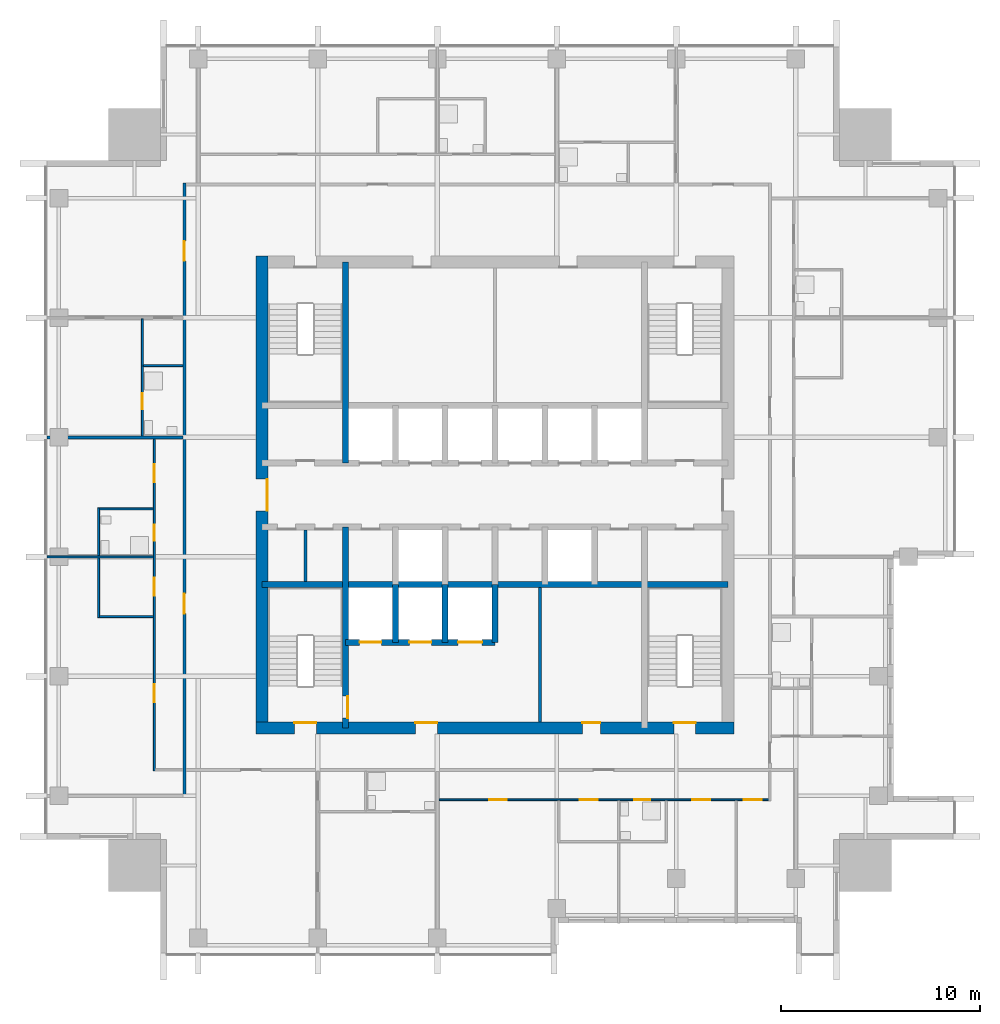
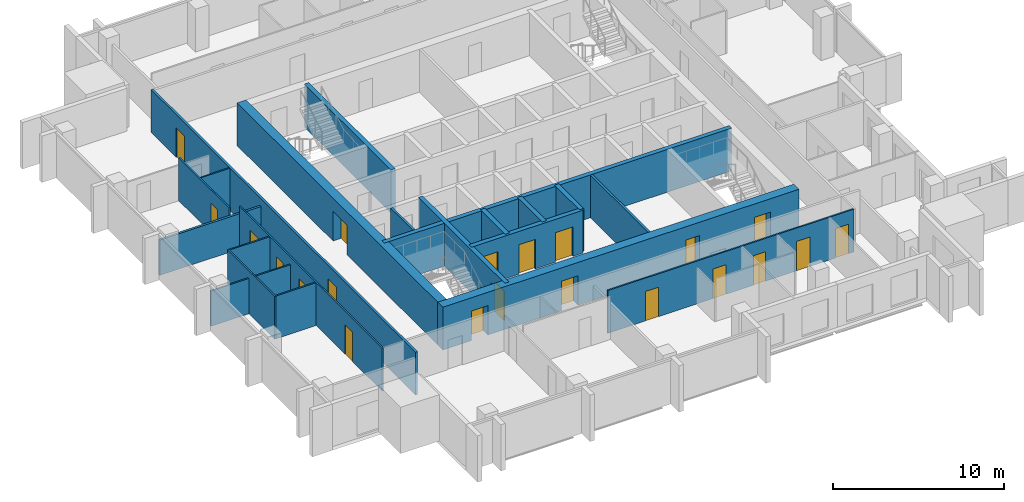
# One storey, part 4 of 9: 21 doors, 21 walls, 21 openings.
"""IFC4 building model written with IfcOpenShell, lengths in metres."""

from ifc_helpers import new_model, si_unit, direction, frame, frame_2d, origin, place, context, subcontext, project, spatial, rectangle, extrude, material, layer, layer_set, type_object, element, fill, save


model = new_model("IFC4")

# Units and contexts
model_context = context("Model", 3, precision=1e-05, world=origin(), true_north=direction((0.0, 1.0)))
body_context = subcontext(model_context, "Body", "Model", "MODEL_VIEW")
ifc_project = project(units=[si_unit("LENGTHUNIT", "METRE"), si_unit("AREAUNIT", "SQUARE_METRE"), si_unit("VOLUMEUNIT", "CUBIC_METRE"), si_unit("PLANEANGLEUNIT", "RADIAN"), si_unit("MASSUNIT", "GRAM", prefix="KILO")], contexts=[model_context])

# Site, building, storey
site_placement = place(None, origin())
site = spatial("IfcSite", under=ifc_project, at=site_placement, CompositionType="ELEMENT")
building_placement = place(site_placement, origin())
building = spatial("IfcBuilding", under=site, at=building_placement, Name="Amberfall Residences", CompositionType="ELEMENT")
storey_placement = place(building_placement, frame((0.0, 0.0, 210.10009765625)))
storey = spatial("IfcBuildingStorey", under=building, at=storey_placement, Name="L56", CompositionType="ELEMENT", Elevation=210.10009765625)

# Wall
ifc_material_1 = material(Name="Concrete C55", Category="concrete")
ifc_layer_1 = layer(ifc_material_1, 0.300048828125)
ifc_layer_set_1 = layer_set([ifc_layer_1], Name="Core wall 300 C55")
wall_type_1 = type_object("IfcWallType", Name="Core wall 300 C55", PredefinedType="SHEAR", material=ifc_layer_set_1)
wall_1_placement = place(storey_placement, frame((62.800048828125, 41.0, 0.0), z_axis=(0.0, 0.0, 1.0), x_axis=(1.0, 0.0, 0.0)))
element("IfcWall", 1, at=wall_1_placement, inside=storey, type_object=wall_type_1, Name="Core wall RW8 L56 H75", PredefinedType="SHEAR", context=body_context, shape_type="SweptSolid", body=[
    extrude(rectangle(XDim=23.39990234375, YDim=0.300048828125, at=frame_2d((11.699951171875, 0.0))), origin(), (0.0, 0.0, 1.0), 3.0498046875),
])

# Wall, opening, door
wall_2_placement = place(storey_placement, frame((67.0, 33.800048828125, 0.0), z_axis=(0.0, 0.0, 1.0), x_axis=(0.0, 1.0, 0.0)))
wall_2 = element("IfcWall", 2, at=wall_2_placement, inside=storey, type_object=wall_type_1, Name="Core wall RW8 L56 V45S", PredefinedType="SHEAR", context=body_context, shape_type="SweptSolid", body=[
    extrude(rectangle(XDim=10.099853515625, YDim=0.300048828125, at=frame_2d((5.0498046875, 0.0))), origin(), (0.0, 0.0, 1.0), 3.0498046875),
])
opening_1_placement = place(wall_2_placement, frame((0.5, 0.0, 0.0)))
opening_1 = element("IfcOpeningElement", 3, at=opening_1_placement, cuts=wall_2, Name="Opening FL1", PredefinedType="OPENING", context=body_context, shape_type="SweptSolid", body=[
    extrude(rectangle(XDim=1.10009765625, YDim=2.10009765625, at=frame_2d((0.550048828125, 1.050048828125))), frame((0.0, 0.159912109375, 0.0), z_axis=(0.0, -1.0, 0.0), x_axis=(1.0, 0.0, 0.0)), (0.0, 0.0, 1.0), 0.320068359375),
])
ifc_material_2 = material(Name="Steel fire door set", Category="steel")
door_type_1 = type_object("IfcDoorType", Name="Firefighting lobby door 1100 x 2100", OperationType="SINGLE_SWING_LEFT", PredefinedType="DOOR", material=ifc_material_2)
door_1_placement = place(opening_1_placement, origin())
door_1 = element("IfcDoor", 4, at=door_1_placement, inside=storey, type_object=door_type_1, Name="FL1 L56", OperationType="SINGLE_SWING_RIGHT", OverallHeight=2.10009765625, OverallWidth=1.10009765625, PredefinedType="DOOR", context=body_context, shape_type="SweptSolid", body=[
    extrude(rectangle(XDim=1.10009765625, YDim=2.10009765625, at=frame_2d((0.550048828125, 1.050048828125))), frame((0.0, -0.08740234375, 0.0), z_axis=(0.0, -1.0, 0.0), x_axis=(1.0, 0.0, 0.0)), (0.0, 0.0, 1.0), 0.050048828125),
])
fill(opening_1, door_1)

# Wall
wall_3_placement = place(storey_placement, frame((67.0, 47.10009765625, 0.0), z_axis=(0.0, 0.0, 1.0), x_axis=(0.0, 1.0, 0.0)))
element("IfcWall", 5, at=wall_3_placement, inside=storey, type_object=wall_type_1, Name="Core wall RW8 L56 V45N", PredefinedType="SHEAR", context=body_context, shape_type="SweptSolid", body=[
    extrude(rectangle(XDim=10.099853515625, YDim=0.300048828125, at=frame_2d((5.0498046875, 0.0))), origin(), (0.0, 0.0, 1.0), 3.0498046875),
])

# Wall, openings, doors
wall_4_placement = place(storey_placement, frame((67.0, 38.10009765625, 0.0), z_axis=(0.0, 0.0, 1.0), x_axis=(1.0, 0.0, 0.0)))
wall_4 = element("IfcWall", 6, at=wall_4_placement, inside=storey, type_object=wall_type_1, Name="Core wall RW8 L56 FFF", PredefinedType="SHEAR", context=body_context, shape_type="SweptSolid", body=[
    extrude(rectangle(XDim=7.5, YDim=0.300048828125, at=frame_2d((3.75, 0.0))), origin(), (0.0, 0.0, 1.0), 3.0498046875),
])
opening_2_placement = place(wall_4_placement, frame((0.699951171875, 0.0, 0.0)))
opening_2 = element("IfcOpeningElement", 7, at=opening_2_placement, cuts=wall_4, Name="Opening LD2", PredefinedType="OPENING", context=body_context, shape_type="SweptSolid", body=[
    extrude(rectangle(XDim=1.10009765625, YDim=2.10009765625, at=frame_2d((0.550048828125, 1.050048828125))), frame((0.0, 0.159912109375, 0.0), z_axis=(0.0, -1.0, 0.0), x_axis=(1.0, 0.0, 0.0)), (0.0, 0.0, 1.0), 0.320068359375),
])
opening_3_placement = place(wall_4_placement, frame((3.199951171875, 0.0, 0.0)))
opening_3 = element("IfcOpeningElement", 8, at=opening_3_placement, cuts=wall_4, Name="Opening LD2", PredefinedType="OPENING", context=body_context, shape_type="SweptSolid", body=[
    extrude(rectangle(XDim=1.10009765625, YDim=2.10009765625, at=frame_2d((0.550048828125, 1.050048828125))), frame((0.0, 0.159912109375, 0.0), z_axis=(0.0, -1.0, 0.0), x_axis=(1.0, 0.0, 0.0)), (0.0, 0.0, 1.0), 0.320068359375),
])
opening_4_placement = place(wall_4_placement, frame((5.64990234375, 0.0, 0.0)))
opening_4 = element("IfcOpeningElement", 9, at=opening_4_placement, cuts=wall_4, Name="Opening LD3", PredefinedType="OPENING", context=body_context, shape_type="SweptSolid", body=[
    extrude(rectangle(XDim=1.199951171875, YDim=2.10009765625, at=frame_2d((0.60009765625, 1.050048828125))), frame((0.0, 0.159912109375, 0.0), z_axis=(0.0, -1.0, 0.0), x_axis=(1.0, 0.0, 0.0)), (0.0, 0.0, 1.0), 0.320068359375),
])
door_type_2 = type_object("IfcDoorType", Name="Firefighting lift landing door 1100 x 2100", OperationType="DOUBLE_DOOR_SLIDING", PredefinedType="DOOR", material=ifc_material_2)
door_2_placement = place(opening_2_placement, origin())
door_2 = element("IfcDoor", 10, at=door_2_placement, inside=storey, type_object=door_type_2, Name="Landing door FF1 L56", OperationType="DOUBLE_DOOR_SLIDING", OverallHeight=2.10009765625, OverallWidth=1.10009765625, PredefinedType="DOOR", context=body_context, shape_type="SweptSolid", body=[
    extrude(rectangle(XDim=1.10009765625, YDim=2.10009765625, at=frame_2d((0.550048828125, 1.050048828125))), frame((0.0, 0.02490234375, 0.0), z_axis=(0.0, -1.0, 0.0), x_axis=(1.0, 0.0, 0.0)), (0.0, 0.0, 1.0), 0.050048828125),
])
fill(opening_2, door_2)
door_3_placement = place(opening_3_placement, origin())
door_3 = element("IfcDoor", 11, at=door_3_placement, inside=storey, type_object=door_type_2, Name="Landing door FF2 L56", OperationType="DOUBLE_DOOR_SLIDING", OverallHeight=2.10009765625, OverallWidth=1.10009765625, PredefinedType="DOOR", context=body_context, shape_type="SweptSolid", body=[
    extrude(rectangle(XDim=1.10009765625, YDim=2.10009765625, at=frame_2d((0.550048828125, 1.050048828125))), frame((0.0, 0.02490234375, 0.0), z_axis=(0.0, -1.0, 0.0), x_axis=(1.0, 0.0, 0.0)), (0.0, 0.0, 1.0), 0.050048828125),
])
fill(opening_3, door_3)
door_type_3 = type_object("IfcDoorType", Name="Service lift landing door 1200 x 2100", OperationType="DOUBLE_DOOR_SLIDING", PredefinedType="DOOR", material=ifc_material_2)
door_4_placement = place(opening_4_placement, origin())
door_4 = element("IfcDoor", 12, at=door_4_placement, inside=storey, type_object=door_type_3, Name="Landing door SL1 L56", OperationType="DOUBLE_DOOR_SLIDING", OverallHeight=2.10009765625, OverallWidth=1.199951171875, PredefinedType="DOOR", context=body_context, shape_type="SweptSolid", body=[
    extrude(rectangle(XDim=1.199951171875, YDim=2.10009765625, at=frame_2d((0.60009765625, 1.050048828125))), frame((0.0, 0.02490234375, 0.0), z_axis=(0.0, -1.0, 0.0), x_axis=(1.0, 0.0, 0.0)), (0.0, 0.0, 1.0), 0.050048828125),
])
fill(opening_4, door_4)

# Walls
for number, where, z_axis, x_axis, name in (
    (13, (69.5, 38.10009765625, 0.0), (0.0, 0.0, 1.0), (0.0, 1.0, 0.0), "Core wall RW8 L56 FFD1"),
    (14, (72.0, 38.10009765625, 0.0), (0.0, 0.0, 1.0), (0.0, 1.0, 0.0), "Core wall RW8 L56 FFD2"),
    (15, (74.5, 38.10009765625, 0.0), (0.0, 0.0, 1.0), (0.0, 1.0, 0.0), "Core wall RW8 L56 FFD3"),
):
    element("IfcWall", number, at=place(storey_placement, frame(where, z_axis=z_axis, x_axis=x_axis)), inside=storey, type_object=wall_type_1, Name=name, PredefinedType="SHEAR", context=body_context, shape_type="SweptSolid", body=[
        extrude(rectangle(XDim=2.89990234375, YDim=0.300048828125, at=frame_2d((1.449951171875, 0.0))), origin(), (0.0, 0.0, 1.0), 3.0498046875),
    ])

# Wall, openings, doors
ifc_layer_2 = layer(ifc_material_1, 0.60009765625)
ifc_layer_set_2 = layer_set([ifc_layer_2], Name="Core wall 600 C55")
wall_type_2 = type_object("IfcWallType", Name="Core wall 600 C55", PredefinedType="SHEAR", material=ifc_layer_set_2)
wall_5_placement = place(storey_placement, frame((62.5, 33.800048828125, 0.0), z_axis=(0.0, 0.0, 1.0), x_axis=(1.0, 0.0, 0.0)))
wall_5 = element("IfcWall", 16, at=wall_5_placement, inside=storey, type_object=wall_type_2, Name="Core wall RW7 L56 OS", PredefinedType="SHEAR", context=body_context, shape_type="SweptSolid", body=[
    extrude(rectangle(XDim=24.0, YDim=0.60009765625, at=frame_2d((12.0, 0.0))), origin(), (0.0, 0.0, 1.0), 3.0498046875),
])
opening_5_placement = place(wall_5_placement, frame((1.925048828125, 0.0, 0.0)))
opening_5 = element("IfcOpeningElement", 17, at=opening_5_placement, cuts=wall_5, Name="Opening SD1", PredefinedType="OPENING", context=body_context, shape_type="SweptSolid", body=[
    extrude(rectangle(XDim=1.10009765625, YDim=2.10009765625, at=frame_2d((0.550048828125, 1.050048828125))), frame((0.0, 0.31005859375, 0.0), z_axis=(0.0, -1.0, 0.0), x_axis=(1.0, 0.0, 0.0)), (0.0, 0.0, 1.0), 0.6201171875),
])
opening_6_placement = place(wall_5_placement, frame((20.97509765625, 0.0, 0.0)))
opening_6 = element("IfcOpeningElement", 18, at=opening_6_placement, cuts=wall_5, Name="Opening SD1", PredefinedType="OPENING", context=body_context, shape_type="SweptSolid", body=[
    extrude(rectangle(XDim=1.10009765625, YDim=2.10009765625, at=frame_2d((0.550048828125, 1.050048828125))), frame((0.0, 0.31005859375, 0.0), z_axis=(0.0, -1.0, 0.0), x_axis=(1.0, 0.0, 0.0)), (0.0, 0.0, 1.0), 0.6201171875),
])
opening_7_placement = place(wall_5_placement, frame((8.0, 0.0, 0.0)))
opening_7 = element("IfcOpeningElement", 19, at=opening_7_placement, cuts=wall_5, Name="Opening FL1", PredefinedType="OPENING", context=body_context, shape_type="SweptSolid", body=[
    extrude(rectangle(XDim=1.10009765625, YDim=2.10009765625, at=frame_2d((0.550048828125, 1.050048828125))), frame((0.0, 0.31005859375, 0.0), z_axis=(0.0, -1.0, 0.0), x_axis=(1.0, 0.0, 0.0)), (0.0, 0.0, 1.0), 0.6201171875),
])
opening_8_placement = place(wall_5_placement, frame((16.387451171875, 0.0, 0.0)))
opening_8 = element("IfcOpeningElement", 20, at=opening_8_placement, cuts=wall_5, Name="Opening RD1", PredefinedType="OPENING", context=body_context, shape_type="SweptSolid", body=[
    extrude(rectangle(XDim=0.89990234375, YDim=2.10009765625, at=frame_2d((0.449951171875, 1.050048828125))), frame((0.0, 0.31005859375, 0.0), z_axis=(0.0, -1.0, 0.0), x_axis=(1.0, 0.0, 0.0)), (0.0, 0.0, 1.0), 0.6201171875),
])
door_5_placement = place(opening_7_placement, origin())
door_5 = element("IfcDoor", 21, at=door_5_placement, inside=storey, type_object=door_type_1, Name="FL1 L56", OperationType="SINGLE_SWING_LEFT", OverallHeight=2.10009765625, OverallWidth=1.10009765625, PredefinedType="DOOR", context=body_context, shape_type="SweptSolid", body=[
    extrude(rectangle(XDim=1.10009765625, YDim=2.10009765625, at=frame_2d((0.550048828125, 1.050048828125))), frame((0.0, 0.28759765625, 0.0), z_axis=(0.0, -1.0, 0.0), x_axis=(1.0, 0.0, 0.0)), (0.0, 0.0, 1.0), 0.050048828125),
])
fill(opening_7, door_5)
door_type_4 = type_object("IfcDoorType", Name="Service room door 900 x 2100", OperationType="SINGLE_SWING_LEFT", PredefinedType="DOOR", material=ifc_material_2)
door_6_placement = place(opening_8_placement, origin())
door_6 = element("IfcDoor", 22, at=door_6_placement, inside=storey, type_object=door_type_4, Name="RD1 L56", OperationType="SINGLE_SWING_LEFT", OverallHeight=2.10009765625, OverallWidth=0.89990234375, PredefinedType="DOOR", context=body_context, shape_type="SweptSolid", body=[
    extrude(rectangle(XDim=0.89990234375, YDim=2.10009765625, at=frame_2d((0.449951171875, 1.050048828125))), frame((0.0, 0.28759765625, 0.0), z_axis=(0.0, -1.0, 0.0), x_axis=(1.0, 0.0, 0.0)), (0.0, 0.0, 1.0), 0.050048828125),
])
fill(opening_8, door_6)
door_type_5 = type_object("IfcDoorType", Name="Stair door 1100 x 2100", OperationType="SINGLE_SWING_LEFT", PredefinedType="DOOR", material=ifc_material_2)
door_7_placement = place(opening_5_placement, origin())
door_7 = element("IfcDoor", 23, at=door_7_placement, inside=storey, type_object=door_type_5, Name="SD1 L56", OperationType="SINGLE_SWING_LEFT", OverallHeight=2.10009765625, OverallWidth=1.10009765625, PredefinedType="DOOR", context=body_context, shape_type="SweptSolid", body=[
    extrude(rectangle(XDim=1.10009765625, YDim=2.10009765625, at=frame_2d((0.550048828125, 1.050048828125))), frame((0.0, 0.28759765625, 0.0), z_axis=(0.0, -1.0, 0.0), x_axis=(1.0, 0.0, 0.0)), (0.0, 0.0, 1.0), 0.050048828125),
])
fill(opening_5, door_7)
door_8_placement = place(opening_6_placement, origin())
door_8 = element("IfcDoor", 24, at=door_8_placement, inside=storey, type_object=door_type_5, Name="SD1 L56", OperationType="SINGLE_SWING_RIGHT", OverallHeight=2.10009765625, OverallWidth=1.10009765625, PredefinedType="DOOR", context=body_context, shape_type="SweptSolid", body=[
    extrude(rectangle(XDim=1.10009765625, YDim=2.10009765625, at=frame_2d((0.550048828125, 1.050048828125))), frame((0.0, 0.28759765625, 0.0), z_axis=(0.0, -1.0, 0.0), x_axis=(1.0, 0.0, 0.0)), (0.0, 0.0, 1.0), 0.050048828125),
])
fill(opening_6, door_8)

# Wall, opening, door
wall_6_placement = place(storey_placement, frame((62.800048828125, 33.5, 0.0), z_axis=(0.0, 0.0, 1.0), x_axis=(0.0, 1.0, 0.0)))
wall_6 = element("IfcWall", 25, at=wall_6_placement, inside=storey, type_object=wall_type_2, Name="Core wall RW7 L56 OW", PredefinedType="SHEAR", context=body_context, shape_type="SweptSolid", body=[
    extrude(rectangle(XDim=24.0, YDim=0.60009765625, at=frame_2d((12.0, 0.0))), origin(), (0.0, 0.0, 1.0), 3.0498046875),
])
opening_9_placement = place(wall_6_placement, frame((11.199951171875, 0.0, 0.0)))
opening_9 = element("IfcOpeningElement", 26, at=opening_9_placement, cuts=wall_6, Name="Opening LB1", PredefinedType="OPENING", context=body_context, shape_type="SweptSolid", body=[
    extrude(rectangle(XDim=1.60009765625, YDim=2.10009765625, at=frame_2d((0.800048828125, 1.050048828125))), frame((0.0, 0.31005859375, 0.0), z_axis=(0.0, -1.0, 0.0), x_axis=(1.0, 0.0, 0.0)), (0.0, 0.0, 1.0), 0.6201171875),
])
door_type_6 = type_object("IfcDoorType", Name="Lift lobby double door 1600 x 2100", OperationType="DOUBLE_DOOR_SINGLE_SWING", PredefinedType="DOOR", material=ifc_material_2)
door_9_placement = place(opening_9_placement, origin())
door_9 = element("IfcDoor", 27, at=door_9_placement, inside=storey, type_object=door_type_6, Name="LB1 L56", OperationType="DOUBLE_DOOR_SINGLE_SWING", OverallHeight=2.10009765625, OverallWidth=1.60009765625, PredefinedType="DOOR", context=body_context, shape_type="SweptSolid", body=[
    extrude(rectangle(XDim=1.60009765625, YDim=2.10009765625, at=frame_2d((0.800048828125, 1.050048828125))), frame((0.0, -0.2373046875, 0.0), z_axis=(0.0, -1.0, 0.0), x_axis=(1.0, 0.0, 0.0)), (0.0, 0.0, 1.0), 0.050048828125),
])
fill(opening_9, door_9)

# Wall
ifc_material_3 = material(Name="Gypsum board on metal stud")
ifc_layer_3 = layer(ifc_material_3, 0.10009765625)
ifc_layer_set_3 = layer_set([ifc_layer_3], Name="Flat partition 100")
wall_type_3 = type_object("IfcWallType", Name="Flat partition 100", PredefinedType="PARTITIONING", material=ifc_layer_set_3)
wall_7_placement = place(storey_placement, frame((54.60009765625, 39.35009765625, 0.0), z_axis=(0.0, 0.0, 1.0), x_axis=(0.0, 1.0, 0.0)))
element("IfcWall", 28, at=wall_7_placement, inside=storey, type_object=wall_type_3, Name="Partition 001", PredefinedType="PARTITIONING", context=body_context, shape_type="SweptSolid", body=[
    extrude(rectangle(XDim=5.5, YDim=0.10009765625, at=frame_2d((2.75, 0.0))), origin(), (0.0, 0.0, 1.0), 3.0498046875),
])

# Wall, opening, door
wall_8_placement = place(storey_placement, frame((56.800048828125, 54.35009765625, 0.0), z_axis=(0.0, 0.0, 1.0), x_axis=(0.0, -1.0, 0.0)))
wall_8 = element("IfcWall", 29, at=wall_8_placement, inside=storey, type_object=wall_type_3, Name="Partition 002", PredefinedType="PARTITIONING", context=body_context, shape_type="SweptSolid", body=[
    extrude(rectangle(XDim=5.875, YDim=0.10009765625, at=frame_2d((2.9375, 0.0))), origin(), (0.0, 0.0, 1.0), 3.0498046875),
])
opening_10_placement = place(wall_8_placement, frame((3.75, 0.0, 0.0)))
opening_10 = element("IfcOpeningElement", 30, at=opening_10_placement, cuts=wall_8, Name="Opening D42", PredefinedType="OPENING", context=body_context, shape_type="SweptSolid", body=[
    extrude(rectangle(XDim=0.800048828125, YDim=2.10009765625, at=frame_2d((0.39990234375, 1.050048828125))), frame((0.0, 0.06005859375, 0.0), z_axis=(0.0, -1.0, 0.0), x_axis=(1.0, 0.0, 0.0)), (0.0, 0.0, 1.0), 0.1201171875),
])
ifc_material_4 = material(Name="Timber", Category="wood")
door_type_7 = type_object("IfcDoorType", Name="Bathroom door 800 x 2100", OperationType="SINGLE_SWING_LEFT", PredefinedType="DOOR", material=ifc_material_4)
door_10_placement = place(opening_10_placement, origin())
door_10 = element("IfcDoor", 31, at=door_10_placement, inside=storey, type_object=door_type_7, Name="Door 5608 bath1", OperationType="SINGLE_SWING_LEFT", OverallHeight=2.10009765625, OverallWidth=0.800048828125, PredefinedType="DOOR", context=body_context, shape_type="SweptSolid", body=[
    extrude(rectangle(XDim=0.800048828125, YDim=2.10009765625, at=frame_2d((0.39990234375, 1.050048828125))), frame((0.0, 0.02490234375, 0.0), z_axis=(0.0, -1.0, 0.0), x_axis=(1.0, 0.0, 0.0)), (0.0, 0.0, 1.0), 0.050048828125),
])
fill(opening_10, door_10)

# Wall, openings, doors
wall_9_placement = place(storey_placement, frame((57.39990234375, 31.64990234375, 0.0), z_axis=(0.0, 0.0, 1.0), x_axis=(0.0, 1.0, 0.0)))
wall_9 = element("IfcWall", 32, at=wall_9_placement, inside=storey, type_object=wall_type_3, Name="Partition 003", PredefinedType="PARTITIONING", context=body_context, shape_type="SweptSolid", body=[
    extrude(rectangle(XDim=16.675048828125, YDim=0.10009765625, at=frame_2d((8.33740234375, 0.0))), origin(), (0.0, 0.0, 1.0), 3.0498046875),
])
opening_11_placement = place(wall_9_placement, frame((3.449951171875, 0.0, 0.0)))
opening_11 = element("IfcOpeningElement", 33, at=opening_11_placement, cuts=wall_9, Name="Opening D41", PredefinedType="OPENING", context=body_context, shape_type="SweptSolid", body=[
    extrude(rectangle(XDim=0.89990234375, YDim=2.10009765625, at=frame_2d((0.449951171875, 1.050048828125))), frame((0.0, 0.06005859375, 0.0), z_axis=(0.0, -1.0, 0.0), x_axis=(1.0, 0.0, 0.0)), (0.0, 0.0, 1.0), 0.1201171875),
])
opening_12_placement = place(wall_9_placement, frame((8.800048828125, 0.0, 0.0)))
opening_12 = element("IfcOpeningElement", 34, at=opening_12_placement, cuts=wall_9, Name="Opening D41", PredefinedType="OPENING", context=body_context, shape_type="SweptSolid", body=[
    extrude(rectangle(XDim=0.89990234375, YDim=2.10009765625, at=frame_2d((0.449951171875, 1.050048828125))), frame((0.0, 0.06005859375, 0.0), z_axis=(0.0, -1.0, 0.0), x_axis=(1.0, 0.0, 0.0)), (0.0, 0.0, 1.0), 0.1201171875),
])
opening_13_placement = place(wall_9_placement, frame((14.5, 0.0, 0.0)))
opening_13 = element("IfcOpeningElement", 35, at=opening_13_placement, cuts=wall_9, Name="Opening D41", PredefinedType="OPENING", context=body_context, shape_type="SweptSolid", body=[
    extrude(rectangle(XDim=0.89990234375, YDim=2.10009765625, at=frame_2d((0.449951171875, 1.050048828125))), frame((0.0, 0.06005859375, 0.0), z_axis=(0.0, -1.0, 0.0), x_axis=(1.0, 0.0, 0.0)), (0.0, 0.0, 1.0), 0.1201171875),
])
opening_14_placement = place(wall_9_placement, frame((11.550048828125, 0.0, 0.0)))
opening_14 = element("IfcOpeningElement", 36, at=opening_14_placement, cuts=wall_9, Name="Opening D42", PredefinedType="OPENING", context=body_context, shape_type="SweptSolid", body=[
    extrude(rectangle(XDim=0.800048828125, YDim=2.10009765625, at=frame_2d((0.39990234375, 1.050048828125))), frame((0.0, 0.06005859375, 0.0), z_axis=(0.0, -1.0, 0.0), x_axis=(1.0, 0.0, 0.0)), (0.0, 0.0, 1.0), 0.1201171875),
])
door_11_placement = place(opening_14_placement, origin())
door_11 = element("IfcDoor", 37, at=door_11_placement, inside=storey, type_object=door_type_7, Name="Door 5607 bath1", OperationType="SINGLE_SWING_LEFT", OverallHeight=2.10009765625, OverallWidth=0.800048828125, PredefinedType="DOOR", context=body_context, shape_type="SweptSolid", body=[
    extrude(rectangle(XDim=0.800048828125, YDim=2.10009765625, at=frame_2d((0.39990234375, 1.050048828125))), frame((0.0, 0.02490234375, 0.0), z_axis=(0.0, -1.0, 0.0), x_axis=(1.0, 0.0, 0.0)), (0.0, 0.0, 1.0), 0.050048828125),
])
fill(opening_14, door_11)
door_type_8 = type_object("IfcDoorType", Name="Internal door 900 x 2100", OperationType="SINGLE_SWING_LEFT", PredefinedType="DOOR", material=ifc_material_4)
door_12_placement = place(opening_11_placement, origin())
door_12 = element("IfcDoor", 38, at=door_12_placement, inside=storey, type_object=door_type_8, Name="Door 5607 living", OperationType="SINGLE_SWING_LEFT", OverallHeight=2.10009765625, OverallWidth=0.89990234375, PredefinedType="DOOR", context=body_context, shape_type="SweptSolid", body=[
    extrude(rectangle(XDim=0.89990234375, YDim=2.10009765625, at=frame_2d((0.449951171875, 1.050048828125))), frame((0.0, 0.02490234375, 0.0), z_axis=(0.0, -1.0, 0.0), x_axis=(1.0, 0.0, 0.0)), (0.0, 0.0, 1.0), 0.050048828125),
])
fill(opening_11, door_12)
door_13_placement = place(opening_12_placement, origin())
door_13 = element("IfcDoor", 39, at=door_13_placement, inside=storey, type_object=door_type_8, Name="Door 5607 kitchen", OperationType="SINGLE_SWING_LEFT", OverallHeight=2.10009765625, OverallWidth=0.89990234375, PredefinedType="DOOR", context=body_context, shape_type="SweptSolid", body=[
    extrude(rectangle(XDim=0.89990234375, YDim=2.10009765625, at=frame_2d((0.449951171875, 1.050048828125))), frame((0.0, 0.02490234375, 0.0), z_axis=(0.0, -1.0, 0.0), x_axis=(1.0, 0.0, 0.0)), (0.0, 0.0, 1.0), 0.050048828125),
])
fill(opening_12, door_13)
door_14_placement = place(opening_13_placement, origin())
door_14 = element("IfcDoor", 40, at=door_14_placement, inside=storey, type_object=door_type_8, Name="Door 5607 bedroom1", OperationType="SINGLE_SWING_LEFT", OverallHeight=2.10009765625, OverallWidth=0.89990234375, PredefinedType="DOOR", context=body_context, shape_type="SweptSolid", body=[
    extrude(rectangle(XDim=0.89990234375, YDim=2.10009765625, at=frame_2d((0.449951171875, 1.050048828125))), frame((0.0, 0.02490234375, 0.0), z_axis=(0.0, -1.0, 0.0), x_axis=(1.0, 0.0, 0.0)), (0.0, 0.0, 1.0), 0.050048828125),
])
fill(opening_13, door_14)

# Walls
wall_10_placement = place(storey_placement, frame((56.85009765625, 52.0, 0.0), z_axis=(0.0, 0.0, 1.0), x_axis=(1.0, 0.0, 0.0)))
element("IfcWall", 41, at=wall_10_placement, inside=storey, type_object=wall_type_3, Name="Partition 025", PredefinedType="PARTITIONING", context=body_context, shape_type="SweptSolid", body=[
    extrude(rectangle(XDim=1.974853515625, YDim=0.10009765625, at=frame_2d((0.9873046875, 0.0))), origin(), (0.0, 0.0, 1.0), 3.0498046875),
])
wall_11_placement = place(storey_placement, frame((54.64990234375, 44.800048828125, 0.0), z_axis=(0.0, 0.0, 1.0), x_axis=(1.0, 0.0, 0.0)))
element("IfcWall", 42, at=wall_11_placement, inside=storey, type_object=wall_type_3, Name="Partition 027", PredefinedType="PARTITIONING", context=body_context, shape_type="SweptSolid", body=[
    extrude(rectangle(XDim=2.7001953125, YDim=0.10009765625, at=frame_2d((1.35009765625, 0.0))), origin(), (0.0, 0.0, 1.0), 3.0498046875),
])
wall_12_placement = place(storey_placement, frame((52.0, 42.39990234375, 0.0), z_axis=(0.0, 0.0, 1.0), x_axis=(1.0, 0.0, 0.0)))
element("IfcWall", 43, at=wall_12_placement, inside=storey, type_object=wall_type_3, Name="Partition 028", PredefinedType="PARTITIONING", context=body_context, shape_type="SweptSolid", body=[
    extrude(rectangle(XDim=5.35009765625, YDim=0.10009765625, at=frame_2d((2.675048828125, 0.0))), origin(), (0.0, 0.0, 1.0), 2.515869140625),
])
wall_13_placement = place(storey_placement, frame((54.64990234375, 39.39990234375, 0.0), z_axis=(0.0, 0.0, 1.0), x_axis=(1.0, 0.0, 0.0)))
element("IfcWall", 44, at=wall_13_placement, inside=storey, type_object=wall_type_3, Name="Partition 030", PredefinedType="PARTITIONING", context=body_context, shape_type="SweptSolid", body=[
    extrude(rectangle(XDim=2.7001953125, YDim=0.10009765625, at=frame_2d((1.35009765625, 0.0))), origin(), (0.0, 0.0, 1.0), 3.0498046875),
])

# Wall, openings, doors
wall_14_placement = place(storey_placement, frame((88.25, 30.199951171875, 0.0), z_axis=(0.0, 0.0, 1.0), x_axis=(-1.0, 0.0, 0.0)))
wall_14 = element("IfcWall", 45, at=wall_14_placement, inside=storey, type_object=wall_type_3, Name="Partition 034", PredefinedType="PARTITIONING", context=body_context, shape_type="SweptSolid", body=[
    extrude(rectangle(XDim=16.574951171875, YDim=0.10009765625, at=frame_2d((8.28759765625, 0.0))), origin(), (0.0, 0.0, 1.0), 3.0498046875),
])
opening_15_placement = place(wall_14_placement, frame((13.14990234375, 0.0, 0.0)))
opening_15 = element("IfcOpeningElement", 46, at=opening_15_placement, cuts=wall_14, Name="Opening D41", PredefinedType="OPENING", context=body_context, shape_type="SweptSolid", body=[
    extrude(rectangle(XDim=0.89990234375, YDim=2.10009765625, at=frame_2d((0.449951171875, 1.050048828125))), frame((0.0, 0.06005859375, 0.0), z_axis=(0.0, -1.0, 0.0), x_axis=(1.0, 0.0, 0.0)), (0.0, 0.0, 1.0), 0.1201171875),
])
opening_16_placement = place(wall_14_placement, frame((8.60009765625, 0.0, 0.0)))
opening_16 = element("IfcOpeningElement", 47, at=opening_16_placement, cuts=wall_14, Name="Opening D41", PredefinedType="OPENING", context=body_context, shape_type="SweptSolid", body=[
    extrude(rectangle(XDim=0.89990234375, YDim=2.10009765625, at=frame_2d((0.449951171875, 1.050048828125))), frame((0.0, 0.06005859375, 0.0), z_axis=(0.0, -1.0, 0.0), x_axis=(1.0, 0.0, 0.0)), (0.0, 0.0, 1.0), 0.1201171875),
])
opening_17_placement = place(wall_14_placement, frame((2.949951171875, 0.0, 0.0)))
opening_17 = element("IfcOpeningElement", 48, at=opening_17_placement, cuts=wall_14, Name="Opening D41", PredefinedType="OPENING", context=body_context, shape_type="SweptSolid", body=[
    extrude(rectangle(XDim=0.89990234375, YDim=2.10009765625, at=frame_2d((0.449951171875, 1.050048828125))), frame((0.0, 0.06005859375, 0.0), z_axis=(0.0, -1.0, 0.0), x_axis=(1.0, 0.0, 0.0)), (0.0, 0.0, 1.0), 0.1201171875),
])
opening_18_placement = place(wall_14_placement, frame((0.35009765625, 0.0, 0.0)))
opening_18 = element("IfcOpeningElement", 49, at=opening_18_placement, cuts=wall_14, Name="Opening D41", PredefinedType="OPENING", context=body_context, shape_type="SweptSolid", body=[
    extrude(rectangle(XDim=0.89990234375, YDim=2.10009765625, at=frame_2d((0.449951171875, 1.050048828125))), frame((0.0, 0.06005859375, 0.0), z_axis=(0.0, -1.0, 0.0), x_axis=(1.0, 0.0, 0.0)), (0.0, 0.0, 1.0), 0.1201171875),
])
opening_19_placement = place(wall_14_placement, frame((5.949951171875, 0.0, 0.0)))
opening_19 = element("IfcOpeningElement", 50, at=opening_19_placement, cuts=wall_14, Name="Opening D42", PredefinedType="OPENING", context=body_context, shape_type="SweptSolid", body=[
    extrude(rectangle(XDim=0.800048828125, YDim=2.10009765625, at=frame_2d((0.39990234375, 1.050048828125))), frame((0.0, 0.06005859375, 0.0), z_axis=(0.0, -1.0, 0.0), x_axis=(1.0, 0.0, 0.0)), (0.0, 0.0, 1.0), 0.1201171875),
])
door_15_placement = place(opening_19_placement, origin())
door_15 = element("IfcDoor", 51, at=door_15_placement, inside=storey, type_object=door_type_7, Name="Door 5602 bath1", OperationType="SINGLE_SWING_LEFT", OverallHeight=2.10009765625, OverallWidth=0.800048828125, PredefinedType="DOOR", context=body_context, shape_type="SweptSolid", body=[
    extrude(rectangle(XDim=0.800048828125, YDim=2.10009765625, at=frame_2d((0.39990234375, 1.050048828125))), frame((0.0, 0.02490234375, 0.0), z_axis=(0.0, -1.0, 0.0), x_axis=(1.0, 0.0, 0.0)), (0.0, 0.0, 1.0), 0.050048828125),
])
fill(opening_19, door_15)
door_16_placement = place(opening_15_placement, origin())
door_16 = element("IfcDoor", 52, at=door_16_placement, inside=storey, type_object=door_type_8, Name="Door 5602 living", OperationType="SINGLE_SWING_LEFT", OverallHeight=2.10009765625, OverallWidth=0.89990234375, PredefinedType="DOOR", context=body_context, shape_type="SweptSolid", body=[
    extrude(rectangle(XDim=0.89990234375, YDim=2.10009765625, at=frame_2d((0.449951171875, 1.050048828125))), frame((0.0, 0.02490234375, 0.0), z_axis=(0.0, -1.0, 0.0), x_axis=(1.0, 0.0, 0.0)), (0.0, 0.0, 1.0), 0.050048828125),
])
fill(opening_15, door_16)
door_17_placement = place(opening_16_placement, origin())
door_17 = element("IfcDoor", 53, at=door_17_placement, inside=storey, type_object=door_type_8, Name="Door 5602 kitchen", OperationType="SINGLE_SWING_LEFT", OverallHeight=2.10009765625, OverallWidth=0.89990234375, PredefinedType="DOOR", context=body_context, shape_type="SweptSolid", body=[
    extrude(rectangle(XDim=0.89990234375, YDim=2.10009765625, at=frame_2d((0.449951171875, 1.050048828125))), frame((0.0, 0.02490234375, 0.0), z_axis=(0.0, -1.0, 0.0), x_axis=(1.0, 0.0, 0.0)), (0.0, 0.0, 1.0), 0.050048828125),
])
fill(opening_16, door_17)
door_18_placement = place(opening_17_placement, origin())
door_18 = element("IfcDoor", 54, at=door_18_placement, inside=storey, type_object=door_type_8, Name="Door 5602 bedroom1", OperationType="SINGLE_SWING_LEFT", OverallHeight=2.10009765625, OverallWidth=0.89990234375, PredefinedType="DOOR", context=body_context, shape_type="SweptSolid", body=[
    extrude(rectangle(XDim=0.89990234375, YDim=2.10009765625, at=frame_2d((0.449951171875, 1.050048828125))), frame((0.0, 0.02490234375, 0.0), z_axis=(0.0, -1.0, 0.0), x_axis=(1.0, 0.0, 0.0)), (0.0, 0.0, 1.0), 0.050048828125),
])
fill(opening_17, door_18)
door_19_placement = place(opening_18_placement, origin())
door_19 = element("IfcDoor", 55, at=door_19_placement, inside=storey, type_object=door_type_8, Name="Door 5602 bedroom2", OperationType="SINGLE_SWING_LEFT", OverallHeight=2.10009765625, OverallWidth=0.89990234375, PredefinedType="DOOR", context=body_context, shape_type="SweptSolid", body=[
    extrude(rectangle(XDim=0.89990234375, YDim=2.10009765625, at=frame_2d((0.449951171875, 1.050048828125))), frame((0.0, 0.02490234375, 0.0), z_axis=(0.0, -1.0, 0.0), x_axis=(1.0, 0.0, 0.0)), (0.0, 0.0, 1.0), 0.050048828125),
])
fill(opening_18, door_19)

ifc_material_5 = material(Name="Blockwork, plastered", Category="masonry")
ifc_layer_4 = layer(ifc_material_5, 0.14990234375)
ifc_layer_set_4 = layer_set([ifc_layer_4], Name="Flat separating wall 150")
wall_type_4 = type_object("IfcWallType", Name="Flat separating wall 150", PredefinedType="PARTITIONING", material=ifc_layer_set_4)
wall_15_placement = place(storey_placement, frame((58.89990234375, 30.324951171875, 0.0), z_axis=(0.0, 0.0, 1.0), x_axis=(0.0, 1.0, 0.0)))
wall_15 = element("IfcWall", 56, at=wall_15_placement, inside=storey, type_object=wall_type_4, Name="Separating wall 037", PredefinedType="PARTITIONING", context=body_context, shape_type="SweptSolid", body=[
    extrude(rectangle(XDim=30.85009765625, YDim=0.14990234375, at=frame_2d((15.425048828125, 0.0))), origin(), (0.0, 0.0, 1.0), 3.0498046875),
])
opening_20_placement = place(wall_15_placement, frame((9.22509765625, 0.0, 0.0)))
opening_20 = element("IfcOpeningElement", 57, at=opening_20_placement, cuts=wall_15, Name="Opening D40", PredefinedType="OPENING", context=body_context, shape_type="SweptSolid", body=[
    extrude(rectangle(XDim=1.0, YDim=2.10009765625, at=frame_2d((0.5, 1.050048828125))), frame((0.0, 0.0849609375, 0.0), z_axis=(0.0, -1.0, 0.0), x_axis=(1.0, 0.0, 0.0)), (0.0, 0.0, 1.0), 0.169921875),
])
opening_21_placement = place(wall_15_placement, frame((26.925048828125, 0.0, 0.0)))
opening_21 = element("IfcOpeningElement", 58, at=opening_21_placement, cuts=wall_15, Name="Opening D40", PredefinedType="OPENING", context=body_context, shape_type="SweptSolid", body=[
    extrude(rectangle(XDim=1.0, YDim=2.10009765625, at=frame_2d((0.5, 1.050048828125))), frame((0.0, 0.0849609375, 0.0), z_axis=(0.0, -1.0, 0.0), x_axis=(1.0, 0.0, 0.0)), (0.0, 0.0, 1.0), 0.169921875),
])
ifc_material_6 = material(Name="Timber, fire-rated", Category="wood")
door_type_9 = type_object("IfcDoorType", Name="Flat entrance door FD60 1000 x 2100", OperationType="SINGLE_SWING_LEFT", PredefinedType="DOOR", material=ifc_material_6)
door_20_placement = place(opening_20_placement, origin())
door_20 = element("IfcDoor", 59, at=door_20_placement, inside=storey, type_object=door_type_9, Name="Door 5607 entrance", OperationType="SINGLE_SWING_LEFT", OverallHeight=2.10009765625, OverallWidth=1.0, PredefinedType="DOOR", context=body_context, shape_type="SweptSolid", body=[
    extrude(rectangle(XDim=1.0, YDim=2.10009765625, at=frame_2d((0.5, 1.050048828125))), frame((0.0, 0.02490234375, 0.0), z_axis=(0.0, -1.0, 0.0), x_axis=(1.0, 0.0, 0.0)), (0.0, 0.0, 1.0), 0.050048828125),
])
fill(opening_20, door_20)
door_21_placement = place(opening_21_placement, origin())
door_21 = element("IfcDoor", 60, at=door_21_placement, inside=storey, type_object=door_type_9, Name="Door 5608 entrance", OperationType="SINGLE_SWING_LEFT", OverallHeight=2.10009765625, OverallWidth=1.0, PredefinedType="DOOR", context=body_context, shape_type="SweptSolid", body=[
    extrude(rectangle(XDim=1.0, YDim=2.10009765625, at=frame_2d((0.5, 1.050048828125))), frame((0.0, 0.02490234375, 0.0), z_axis=(0.0, -1.0, 0.0), x_axis=(1.0, 0.0, 0.0)), (0.0, 0.0, 1.0), 0.050048828125),
])
fill(opening_21, door_21)

# Walls
wall_16_placement = place(storey_placement, frame((52.0, 48.39990234375, 0.0), z_axis=(0.0, 0.0, 1.0), x_axis=(1.0, 0.0, 0.0)))
element("IfcWall", 61, at=wall_16_placement, inside=storey, type_object=wall_type_4, Name="Separating wall 045", PredefinedType="PARTITIONING", context=body_context, shape_type="SweptSolid", body=[
    extrude(rectangle(XDim=6.824951171875, YDim=0.14990234375, at=frame_2d((3.41259765625, 0.0))), origin(), (0.0, 0.0, 1.0), 2.515869140625),
])
ifc_material_7 = material(Name="Concrete blockwork", Category="masonry")
ifc_layer_5 = layer(ifc_material_7, 0.14990234375)
ifc_layer_set_5 = layer_set([ifc_layer_5], Name="Riser wall 150")
wall_type_5 = type_object("IfcWallType", Name="Riser wall 150", PredefinedType="PLUMBINGWALL", material=ifc_layer_set_5)
wall_17_placement = place(storey_placement, frame((76.75, 34.10009765625, 0.0), z_axis=(0.0, 0.0, 1.0), x_axis=(0.0, 1.0, 0.0)))
element("IfcWall", 62, at=wall_17_placement, inside=storey, type_object=wall_type_5, Name="L56 core wall PX", PredefinedType="PLUMBINGWALL", context=body_context, shape_type="SweptSolid", body=[
    extrude(rectangle(XDim=6.75, YDim=0.14990234375, at=frame_2d((3.375, 0.0))), origin(), (0.0, 0.0, 1.0), 3.0498046875),
])
wall_18_placement = place(storey_placement, frame((64.97509765625, 41.14990234375, 0.0), z_axis=(0.0, 0.0, 1.0), x_axis=(0.0, 1.0, 0.0)))
element("IfcWall", 63, at=wall_18_placement, inside=storey, type_object=wall_type_5, Name="L56 core wall ASW0", PredefinedType="PLUMBINGWALL", context=body_context, shape_type="SweptSolid", body=[
    extrude(rectangle(XDim=2.60009765625, YDim=0.14990234375, at=frame_2d((1.300048828125, 0.0))), origin(), (0.0, 0.0, 1.0), 3.0498046875),
])

save(model, "model.ifc")
